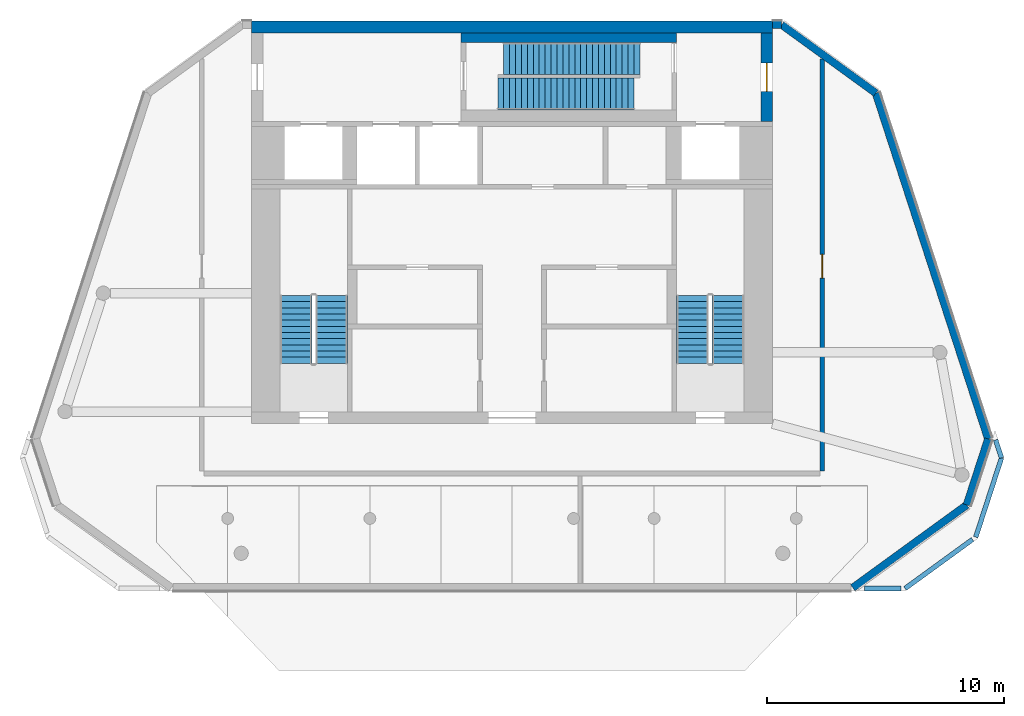
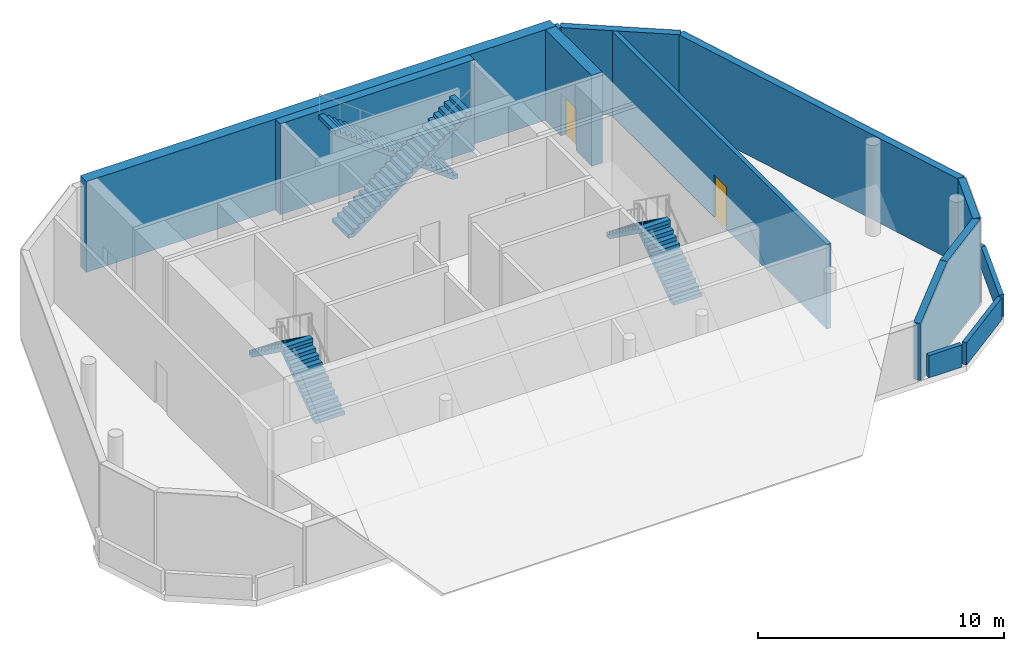
# One storey, part 3 of 6: 13 walls, 6 stair flights, 2 doors, 2 openings, 4 elements without a shape of their own.
"""IFC4 building model written with IfcOpenShell, lengths in metres."""

from ifc_helpers import new_model, si_unit, direction, frame, frame_2d, origin, place, context, subcontext, project, spatial, polyline, rectangle, outline, extrude, material, layer, layer_set, type_object, element, fill, aggregate, save


model = new_model("IFC4")

# Units and contexts
model_context = context("Model", 3, precision=1e-05, world=origin(), true_north=direction((0.0, 1.0)))
body_context = subcontext(model_context, "Body", "Model", "MODEL_VIEW")
ifc_project = project(units=[si_unit("LENGTHUNIT", "METRE"), si_unit("AREAUNIT", "SQUARE_METRE"), si_unit("VOLUMEUNIT", "CUBIC_METRE"), si_unit("PLANEANGLEUNIT", "RADIAN"), si_unit("MASSUNIT", "GRAM", prefix="KILO")], contexts=[model_context])

# Site, building, storey
site_placement = place(None, origin())
site = spatial("IfcSite", under=ifc_project, at=site_placement, CompositionType="ELEMENT")
building_placement = place(site_placement, origin())
building = spatial("IfcBuilding", under=site, at=building_placement, Name="White Candle Pilgrim Tower", CompositionType="ELEMENT")
storey_placement = place(building_placement, frame((0.0, 0.0, 337.699951171875)))
storey = spatial("IfcBuildingStorey", under=building, at=storey_placement, Name="L79", CompositionType="ELEMENT", Elevation=337.699951171875)

# Wall, opening, door
ifc_material_1 = material(Name="Concrete C40/50", Category="concrete")
ifc_layer_1 = layer(ifc_material_1, 0.5)
ifc_layer_set_1 = layer_set([ifc_layer_1], Name="Core wall 500 mm Concrete C40/50")
wall_type_1 = type_object("IfcWallType", Name="Core wall 500 mm Concrete C40/50", PredefinedType="SHEAR", material=ifc_layer_set_1)
wall_1_placement = place(storey_placement, frame((80.75, 83.75, 0.0), z_axis=(0.0, 0.0, 1.0), x_axis=(0.0, 1.0, 0.0)))
wall_1 = element("IfcWall", 1, at=wall_1_placement, inside=storey, type_object=wall_type_1, Name="WL-L79-C31", PredefinedType="SHEAR", context=body_context, shape_type="SweptSolid", body=[
    extrude(rectangle(XDim=3.75, YDim=0.5, at=frame_2d((1.875, 0.0))), origin(), (0.0, 0.0, 1.0), 4.5),
])
opening_1_placement = place(wall_1_placement, frame((1.27490234375, 0.0, 0.0)))
opening_1 = element("IfcOpeningElement", 2, at=opening_1_placement, cuts=wall_1, Name="Opening L79-009", PredefinedType="OPENING", context=body_context, shape_type="SweptSolid", body=[
    extrude(rectangle(XDim=1.199951171875, YDim=2.10009765625, at=frame_2d((0.60009765625, 1.050048828125))), frame((0.0, 0.260009765625, 0.0), z_axis=(0.0, -1.0, 0.0), x_axis=(1.0, 0.0, 0.0)), (0.0, 0.0, 1.0), 0.52001953125),
])
ifc_material_2 = material(Name="Steel door leaf", Category="steel")
door_type_1 = type_object("IfcDoorType", Name="Fire door 1200 x 2100 EI 30", OperationType="NOTDEFINED", PredefinedType="DOOR", material=ifc_material_2)
door_1_placement = place(opening_1_placement, origin())
door_1 = element("IfcDoor", 3, at=door_1_placement, inside=storey, type_object=door_type_1, Name="Door L79-009", OperationType="SINGLE_SWING_LEFT", OverallHeight=2.10009765625, OverallWidth=1.199951171875, PredefinedType="DOOR", context=body_context, shape_type="SweptSolid", body=[
    extrude(rectangle(XDim=1.199951171875, YDim=2.10009765625, at=frame_2d((0.60009765625, 1.050048828125))), frame((0.0, 0.02490234375, 0.0), z_axis=(0.0, -1.0, 0.0), x_axis=(1.0, 0.0, 0.0)), (0.0, 0.0, 1.0), 0.050048828125),
])
fill(opening_1, door_1)

# Wall
wall_2_placement = place(storey_placement, frame((59.0, 87.75, 0.0), z_axis=(0.0, 0.0, 1.0), x_axis=(1.0, 0.0, 0.0)))
element("IfcWall", 4, at=wall_2_placement, inside=storey, type_object=wall_type_1, Name="WL-L79-C36", PredefinedType="SHEAR", context=body_context, shape_type="SweptSolid", body=[
    extrude(rectangle(XDim=22.0, YDim=0.5, at=frame_2d((11.0, 0.0))), origin(), (0.0, 0.0, 1.0), 4.5),
])

# Wall, opening, door
ifc_material_3 = material(Name="Gypsum board on steel studs", Category="steel")
ifc_layer_2 = layer(ifc_material_3, 0.199951171875)
ifc_layer_set_2 = layer_set([ifc_layer_2], Name="Corridor wall 200 mm EI 45")
wall_type_2 = type_object("IfcWallType", Name="Corridor wall 200 mm EI 45", PredefinedType="PARTITIONING", material=ifc_layer_set_2)
wall_3_placement = place(storey_placement, frame((83.10009765625, 86.396240234375, 0.0), z_axis=(0.0, 0.0, 1.0), x_axis=(0.0, -1.0, 0.0)))
wall_3 = element("IfcWall", 5, at=wall_3_placement, inside=storey, type_object=wall_type_2, Name="WL-L79-P001", PredefinedType="PARTITIONING", context=body_context, shape_type="SweptSolid", body=[
    extrude(rectangle(XDim=17.396240234375, YDim=0.199951171875, at=frame_2d((8.6982421875, 0.0))), origin(), (0.0, 0.0, 1.0), 4.199951171875),
])
opening_2_placement = place(wall_3_placement, frame((8.248046875, 0.0, 0.0)))
opening_2 = element("IfcOpeningElement", 6, at=opening_2_placement, cuts=wall_3, Name="Opening L79-102", PredefinedType="OPENING", context=body_context, shape_type="SweptSolid", body=[
    extrude(rectangle(XDim=1.0, YDim=2.10009765625, at=frame_2d((0.5, 1.050048828125))), frame((0.0, 0.10986328125, 0.0), z_axis=(0.0, -1.0, 0.0), x_axis=(1.0, 0.0, 0.0)), (0.0, 0.0, 1.0), 0.219970703125),
])
door_type_2 = type_object("IfcDoorType", Name="Fire door 1000 x 2100 EI 30", OperationType="NOTDEFINED", PredefinedType="DOOR", material=ifc_material_2)
door_2_placement = place(opening_2_placement, origin())
door_2 = element("IfcDoor", 7, at=door_2_placement, inside=storey, type_object=door_type_2, Name="Door L79-102", OperationType="SINGLE_SWING_RIGHT", OverallHeight=2.10009765625, OverallWidth=1.0, PredefinedType="DOOR", context=body_context, shape_type="SweptSolid", body=[
    extrude(rectangle(XDim=1.0, YDim=2.10009765625, at=frame_2d((0.5, 1.050048828125))), frame((0.0, 0.02490234375, 0.0), z_axis=(0.0, -1.0, 0.0), x_axis=(1.0, 0.0, 0.0)), (0.0, 0.0, 1.0), 0.050048828125),
])
fill(opening_2, door_2)

# Walls
ifc_material_4 = material(Name="Precast concrete C40/50", Category="concrete")
ifc_layer_3 = layer(ifc_material_4, 0.320068359375)
ifc_layer_set_3 = layer_set([ifc_layer_3], Name="Facade wall EW4 precast concrete C40/50 crown wall with zinc cladding")
wall_type_3 = type_object("IfcWallType", Name="Facade wall EW4 precast concrete C40/50 crown wall with zinc cladding", PredefinedType="SOLIDWALL", material=ifc_layer_set_3)
wall_4_placement = place(storey_placement, frame((84.38525390625, 64.073486328125, 0.0), z_axis=(0.0, 0.0, 1.0), x_axis=(0.809007633146, 0.587798136704, 0.0)))
element("IfcWall", 8, at=wall_4_placement, inside=storey, type_object=wall_type_3, Name="Crown wall L79 SE", PredefinedType="SOLIDWALL", context=body_context, shape_type="SweptSolid", body=[
    extrude(outline(polyline([(0.0, 0.0), (5.946533203125, 0.0), (5.946533203125, 4.199951171875), (2.661865234375, 4.199951171875), (0.0, 2.814697265625), (0.0, 0.0)])), frame((0.0, 0.16015625, 0.0), z_axis=(0.0, -1.0, 0.0), x_axis=(1.0, 0.0, 0.0)), (0.0, 0.0, 1.0), 0.320068359375),
])
wall_5_placement = place(storey_placement, frame((89.196044921875, 67.56884765625, 0.0), z_axis=(0.0, 0.0, 1.0), x_axis=(0.309046517069, 0.951046923284, 0.0)))
element("IfcWall", 9, at=wall_5_placement, inside=storey, type_object=wall_type_3, Name="Crown wall L79 E chamfer", PredefinedType="SOLIDWALL", context=body_context, shape_type="SweptSolid", body=[
    extrude(rectangle(XDim=2.930908203125, YDim=0.320068359375, at=frame_2d((1.46533203125, 0.0))), origin(), (0.0, 0.0, 1.0), 4.199951171875),
])
wall_6_placement = place(storey_placement, frame((90.101806640625, 70.356201171875, 0.0), z_axis=(0.0, 0.0, 1.0), x_axis=(-0.309017370219, 0.951056394176, 0.0)))
element("IfcWall", 10, at=wall_6_placement, inside=storey, type_object=wall_type_3, Name="Crown wall L79 ENE", PredefinedType="SOLIDWALL", context=body_context, shape_type="SweptSolid", body=[
    extrude(rectangle(XDim=15.34765625, YDim=0.320068359375, at=frame_2d((7.673828125, 0.0))), origin(), (0.0, 0.0, 1.0), 4.199951171875),
])
wall_7_placement = place(storey_placement, frame((85.359130859375, 84.95263671875, 0.0), z_axis=(0.0, 0.0, 1.0), x_axis=(-0.809008941667, 0.587796335735, 0.0)))
element("IfcWall", 11, at=wall_7_placement, inside=storey, type_object=wall_type_3, Name="Crown wall L79 NE chamfer", PredefinedType="SOLIDWALL", context=body_context, shape_type="SweptSolid", body=[
    extrude(rectangle(XDim=4.912353515625, YDim=0.320068359375, at=frame_2d((2.4560546875, 0.0))), origin(), (0.0, 0.0, 1.0), 4.199951171875),
])
wall_8_placement = place(storey_placement, frame((81.385009765625, 87.840087890625, 0.0), z_axis=(0.0, 0.0, 1.0), x_axis=(-1.0, 0.0, 0.0)))
element("IfcWall", 12, at=wall_8_placement, inside=storey, type_object=wall_type_3, Name="Crown wall L79 N", PredefinedType="SOLIDWALL", context=body_context, shape_type="SweptSolid", body=[
    extrude(rectangle(XDim=0.385009765625, YDim=0.320068359375, at=frame_2d((0.1923828125, 0.0))), origin(), (0.0, 0.0, 1.0), 4.199951171875),
])
ifc_layer_4 = layer(ifc_material_4, 0.199951171875)
ifc_layer_set_4 = layer_set([ifc_layer_4], Name="Roof parapet EW5 precast concrete C40/50 200")
wall_type_4 = type_object("IfcWallType", Name="Roof parapet EW5 precast concrete C40/50 200", PredefinedType="SOLIDWALL", material=ifc_layer_set_4)
wall_9_placement = place(storey_placement, frame((90.66162109375, 69.555419921875, 0.0), z_axis=(0.0, 0.0, 1.0), x_axis=(-0.309007528472, -0.951059591901, 0.0)))
element("IfcWall", 13, at=wall_9_placement, inside=storey, type_object=wall_type_4, Name="Roof parapet L79", PredefinedType="SOLIDWALL", context=body_context, shape_type="SweptSolid", body=[
    extrude(rectangle(XDim=3.51416015625, YDim=0.199951171875, at=frame_2d((1.757080078125, 0.0))), origin(), (0.0, 0.0, 1.0), 1.10009765625),
])
wall_10_placement = place(storey_placement, frame((89.43798828125, 66.113037109375, 0.0), z_axis=(0.0, 0.0, 1.0), x_axis=(-0.809029925151, -0.587767454195, 0.0)))
element("IfcWall", 14, at=wall_10_placement, inside=storey, type_object=wall_type_4, Name="Roof parapet L79", PredefinedType="SOLIDWALL", context=body_context, shape_type="SweptSolid", body=[
    extrude(rectangle(XDim=3.519775390625, YDim=0.199951171875, at=frame_2d((1.759765625, 0.0))), origin(), (0.0, 0.0, 1.0), 1.10009765625),
])
wall_11_placement = place(storey_placement, frame((86.420166015625, 64.044189453125, 0.0), z_axis=(0.0, 0.0, 1.0), x_axis=(-1.0, 0.0, 0.0)))
element("IfcWall", 15, at=wall_11_placement, inside=storey, type_object=wall_type_4, Name="Roof parapet L79", PredefinedType="SOLIDWALL", context=body_context, shape_type="SweptSolid", body=[
    extrude(rectangle(XDim=1.548095703125, YDim=0.199951171875, at=frame_2d((0.77392578125, 0.0))), origin(), (0.0, 0.0, 1.0), 1.10009765625),
])
wall_12_placement = place(storey_placement, frame((90.414306640625, 70.31640625, 0.0), z_axis=(0.0, 0.0, 1.0), x_axis=(0.309079173229, -0.951036310914, 0.0)))
element("IfcWall", 16, at=wall_12_placement, inside=storey, type_object=wall_type_4, Name="Roof parapet L79", PredefinedType="SOLIDWALL", context=body_context, shape_type="SweptSolid", body=[
    extrude(rectangle(XDim=0.800048828125, YDim=0.199951171875, at=frame_2d((0.39990234375, 0.0))), origin(), (0.0, 0.0, 1.0), 1.10009765625),
])
ifc_layer_5 = layer(ifc_material_1, 0.39990234375)
ifc_layer_set_5 = layer_set([ifc_layer_5], Name="Stair shaft wall 400 mm Concrete C40/50")
wall_type_5 = type_object("IfcWallType", Name="Stair shaft wall 400 mm Concrete C40/50", PredefinedType="SHEAR", material=ifc_layer_set_5)
wall_13_placement = place(storey_placement, frame((67.85009765625, 87.300048828125, 0.0), z_axis=(0.0, 0.0, 1.0), x_axis=(1.0, 0.0, 0.0)))
element("IfcWall", 17, at=wall_13_placement, inside=storey, type_object=wall_type_5, Name="WL-L79-C35", PredefinedType="SHEAR", context=body_context, shape_type="SweptSolid", body=[
    extrude(rectangle(XDim=9.099853515625, YDim=0.39990234375, at=frame_2d((4.5498046875, 0.0))), origin(), (0.0, 0.0, 1.0), 4.5),
])

# Stair, stair flights
stair_type_1 = type_object("IfcStairType", Name="Exit stair 1 flight width 1350 mm", PredefinedType="HALF_TURN_STAIR", material=ifc_material_1)
stair_1_placement = place(storey_placement, origin())
stair_1 = element("IfcStair", 18, at=stair_1_placement, inside=storey, type_object=stair_type_1, Name="L79 stair 1", PredefinedType="NOTDEFINED")
ifc_layer_6 = layer(ifc_material_1, 0.14990234375)
ifc_layer_set_6 = layer_set([ifc_layer_6], Name="Stair flight Concrete C40/50")
stair_flight_type = type_object("IfcStairFlightType", Name="Stair flight Concrete C40/50", PredefinedType="STRAIGHT", material=ifc_layer_set_6)
stair_flight_1_placement = place(storey_placement, frame((62.375, 73.550048828125, 0.0), z_axis=(0.0, 0.0, 1.0), x_axis=(0.0, 1.0, 0.0)))
stair_flight_1 = element("IfcStairFlight", 19, at=stair_flight_1_placement, type_object=stair_flight_type, Name="ST1 flight 1", NumberOfRisers=12, NumberOfTreads=11, PredefinedType="NOTDEFINED", RiserHeight=0.1875, TreadLength=0.26, context=body_context, shape_type="SweptSolid", body=[
    extrude(outline(polyline([(0.0, 0.0), (0.0, 0.1875), (0.260009765625, 0.1875), (0.260009765625, 0.375), (0.52001953125, 0.375), (0.52001953125, 0.5625), (0.780029296875, 0.5625), (0.780029296875, 0.75), (1.0400390625, 0.75), (1.0400390625, 0.9375), (1.300048828125, 0.9375), (1.300048828125, 1.125), (1.56005859375, 1.125), (1.56005859375, 1.3125), (1.820068359375, 1.3125), (1.820068359375, 1.5), (2.080078125, 1.5), (2.080078125, 1.6875), (2.340087890625, 1.6875), (2.340087890625, 1.875), (2.60009765625, 1.875), (2.60009765625, 2.0625), (2.860107421875, 2.0625), (2.860107421875, 2.25), (2.860107421875, 1.877685546875), (0.25634765625, 0.0), (0.0, 0.0)])), frame((0.0, 0.675048828125, 0.0), z_axis=(0.0, -1.0, 0.0), x_axis=(1.0, 0.0, 0.0)), (0.0, 0.0, 1.0), 1.35009765625),
])
stair_flight_2_placement = place(storey_placement, frame((60.875, 76.409912109375, 2.25), z_axis=(0.0, 0.0, 1.0), x_axis=(0.0, -1.0, 0.0)))
stair_flight_2 = element("IfcStairFlight", 20, at=stair_flight_2_placement, type_object=stair_flight_type, Name="ST1 flight 2", NumberOfRisers=12, NumberOfTreads=11, PredefinedType="NOTDEFINED", RiserHeight=0.1875, TreadLength=0.26, context=body_context, shape_type="SweptSolid", body=[
    extrude(outline(polyline([(0.0, 0.0), (0.0, 0.1875), (0.260009765625, 0.1875), (0.260009765625, 0.375), (0.52001953125, 0.375), (0.52001953125, 0.5625), (0.780029296875, 0.5625), (0.780029296875, 0.75), (1.0400390625, 0.75), (1.0400390625, 0.9375), (1.300048828125, 0.9375), (1.300048828125, 1.125), (1.56005859375, 1.125), (1.56005859375, 1.3125), (1.820068359375, 1.3125), (1.820068359375, 1.5), (2.080078125, 1.5), (2.080078125, 1.6875), (2.340087890625, 1.6875), (2.340087890625, 1.875), (2.60009765625, 1.875), (2.60009765625, 2.0625), (2.860107421875, 2.0625), (2.860107421875, 2.25), (2.860107421875, 1.877685546875), (0.25634765625, 0.0), (0.0, 0.0)])), frame((0.0, 0.675048828125, 0.0), z_axis=(0.0, -1.0, 0.0), x_axis=(1.0, 0.0, 0.0)), (0.0, 0.0, 1.0), 1.35009765625),
])
aggregate(stair_1, [stair_flight_1, stair_flight_2])

stair_type_2 = type_object("IfcStairType", Name="Exit stair 2 flight width 1350 mm", PredefinedType="HALF_TURN_STAIR", material=ifc_material_1)
stair_2_placement = place(storey_placement, origin())
stair_2 = element("IfcStair", 21, at=stair_2_placement, inside=storey, type_object=stair_type_2, Name="L79 stair 2", PredefinedType="NOTDEFINED")
stair_flight_3_placement = place(storey_placement, frame((79.125, 73.550048828125, 0.0), z_axis=(0.0, 0.0, 1.0), x_axis=(0.0, 1.0, 0.0)))
stair_flight_3 = element("IfcStairFlight", 22, at=stair_flight_3_placement, type_object=stair_flight_type, Name="ST2 flight 1", NumberOfRisers=12, NumberOfTreads=11, PredefinedType="NOTDEFINED", RiserHeight=0.1875, TreadLength=0.26, context=body_context, shape_type="SweptSolid", body=[
    extrude(outline(polyline([(0.0, 0.0), (0.0, 0.1875), (0.260009765625, 0.1875), (0.260009765625, 0.375), (0.52001953125, 0.375), (0.52001953125, 0.5625), (0.780029296875, 0.5625), (0.780029296875, 0.75), (1.0400390625, 0.75), (1.0400390625, 0.9375), (1.300048828125, 0.9375), (1.300048828125, 1.125), (1.56005859375, 1.125), (1.56005859375, 1.3125), (1.820068359375, 1.3125), (1.820068359375, 1.5), (2.080078125, 1.5), (2.080078125, 1.6875), (2.340087890625, 1.6875), (2.340087890625, 1.875), (2.60009765625, 1.875), (2.60009765625, 2.0625), (2.860107421875, 2.0625), (2.860107421875, 2.25), (2.860107421875, 1.877685546875), (0.25634765625, 0.0), (0.0, 0.0)])), frame((0.0, 0.675048828125, 0.0), z_axis=(0.0, -1.0, 0.0), x_axis=(1.0, 0.0, 0.0)), (0.0, 0.0, 1.0), 1.35009765625),
])
stair_flight_4_placement = place(storey_placement, frame((77.625, 76.409912109375, 2.25), z_axis=(0.0, 0.0, 1.0), x_axis=(0.0, -1.0, 0.0)))
stair_flight_4 = element("IfcStairFlight", 23, at=stair_flight_4_placement, type_object=stair_flight_type, Name="ST2 flight 2", NumberOfRisers=12, NumberOfTreads=11, PredefinedType="NOTDEFINED", RiserHeight=0.1875, TreadLength=0.26, context=body_context, shape_type="SweptSolid", body=[
    extrude(outline(polyline([(0.0, 0.0), (0.0, 0.1875), (0.260009765625, 0.1875), (0.260009765625, 0.375), (0.52001953125, 0.375), (0.52001953125, 0.5625), (0.780029296875, 0.5625), (0.780029296875, 0.75), (1.0400390625, 0.75), (1.0400390625, 0.9375), (1.300048828125, 0.9375), (1.300048828125, 1.125), (1.56005859375, 1.125), (1.56005859375, 1.3125), (1.820068359375, 1.3125), (1.820068359375, 1.5), (2.080078125, 1.5), (2.080078125, 1.6875), (2.340087890625, 1.6875), (2.340087890625, 1.875), (2.60009765625, 1.875), (2.60009765625, 2.0625), (2.860107421875, 2.0625), (2.860107421875, 2.25), (2.860107421875, 1.877685546875), (0.25634765625, 0.0), (0.0, 0.0)])), frame((0.0, 0.675048828125, 0.0), z_axis=(0.0, -1.0, 0.0), x_axis=(1.0, 0.0, 0.0)), (0.0, 0.0, 1.0), 1.35009765625),
])
aggregate(stair_2, [stair_flight_3, stair_flight_4])

# Stair, stair flight
stair_type_3 = type_object("IfcStairType", Name="Exit stair 12 flight width 1350 mm", PredefinedType="STRAIGHT_RUN_STAIR", material=ifc_material_1)
stair_3_placement = place(storey_placement, origin())
stair_3 = element("IfcStair", 24, at=stair_3_placement, inside=storey, type_object=stair_type_3, Name="L79 stair 12 A", PredefinedType="NOTDEFINED")
stair_flight_5_placement = place(storey_placement, frame((69.39990234375, 84.925048828125, 0.0), z_axis=(0.0, 0.0, 1.0), x_axis=(1.0, 0.0, 0.0)))
stair_flight_5 = element("IfcStairFlight", 25, at=stair_flight_5_placement, type_object=stair_flight_type, Name="ST12A flight 1", NumberOfRisers=24, NumberOfTreads=23, PredefinedType="NOTDEFINED", RiserHeight=0.1875, TreadLength=0.25, context=body_context, shape_type="SweptSolid", body=[
    extrude(outline(polyline([(0.0, 0.0), (0.0, 0.1875), (0.25, 0.1875), (0.25, 0.375), (0.5, 0.375), (0.5, 0.5625), (0.75, 0.5625), (0.75, 0.75), (1.0, 0.75), (1.0, 0.9375), (1.25, 0.9375), (1.25, 1.125), (1.5, 1.125), (1.5, 1.3125), (1.75, 1.3125), (1.75, 1.5), (2.0, 1.5), (2.0, 1.6875), (2.25, 1.6875), (2.25, 1.875), (2.5, 1.875), (2.5, 2.0625), (2.75, 2.0625), (2.75, 2.25), (3.0, 2.25), (3.0, 2.4375), (3.25, 2.4375), (3.25, 2.625), (3.5, 2.625), (3.5, 2.8125), (3.75, 2.8125), (3.75, 3.0), (4.0, 3.0), (4.0, 3.1875), (4.25, 3.1875), (4.25, 3.375), (4.5, 3.375), (4.5, 3.5625), (4.75, 3.5625), (4.75, 3.75), (5.0, 3.75), (5.0, 3.9375), (5.25, 3.9375), (5.25, 4.125), (5.5, 4.125), (5.5, 4.3125), (5.75, 4.3125), (5.75, 4.5), (5.75, 4.125), (0.249755859375, 0.0), (0.0, 0.0)])), frame((0.0, 0.675048828125, 0.0), z_axis=(0.0, -1.0, 0.0), x_axis=(1.0, 0.0, 0.0)), (0.0, 0.0, 1.0), 1.35009765625),
])
aggregate(stair_3, [stair_flight_5])

stair_4_placement = place(storey_placement, origin())
stair_4 = element("IfcStair", 26, at=stair_4_placement, inside=storey, type_object=stair_type_3, Name="L79 stair 12 B", PredefinedType="NOTDEFINED")
stair_flight_6_placement = place(storey_placement, frame((75.39990234375, 86.425048828125, 0.0), z_axis=(0.0, 0.0, 1.0), x_axis=(-1.0, 0.0, 0.0)))
stair_flight_6 = element("IfcStairFlight", 27, at=stair_flight_6_placement, type_object=stair_flight_type, Name="ST12B flight 1", NumberOfRisers=24, NumberOfTreads=23, PredefinedType="NOTDEFINED", RiserHeight=0.1875, TreadLength=0.25, context=body_context, shape_type="SweptSolid", body=[
    extrude(outline(polyline([(0.0, 0.0), (0.0, 0.1875), (0.25, 0.1875), (0.25, 0.375), (0.5, 0.375), (0.5, 0.5625), (0.75, 0.5625), (0.75, 0.75), (1.0, 0.75), (1.0, 0.9375), (1.25, 0.9375), (1.25, 1.125), (1.5, 1.125), (1.5, 1.3125), (1.75, 1.3125), (1.75, 1.5), (2.0, 1.5), (2.0, 1.6875), (2.25, 1.6875), (2.25, 1.875), (2.5, 1.875), (2.5, 2.0625), (2.75, 2.0625), (2.75, 2.25), (3.0, 2.25), (3.0, 2.4375), (3.25, 2.4375), (3.25, 2.625), (3.5, 2.625), (3.5, 2.8125), (3.75, 2.8125), (3.75, 3.0), (4.0, 3.0), (4.0, 3.1875), (4.25, 3.1875), (4.25, 3.375), (4.5, 3.375), (4.5, 3.5625), (4.75, 3.5625), (4.75, 3.75), (5.0, 3.75), (5.0, 3.9375), (5.25, 3.9375), (5.25, 4.125), (5.5, 4.125), (5.5, 4.3125), (5.75, 4.3125), (5.75, 4.5), (5.75, 4.125), (0.249755859375, 0.0), (0.0, 0.0)])), frame((0.0, 0.675048828125, 0.0), z_axis=(0.0, -1.0, 0.0), x_axis=(1.0, 0.0, 0.0)), (0.0, 0.0, 1.0), 1.35009765625),
])
aggregate(stair_4, [stair_flight_6])

save(model, "model.ifc")
